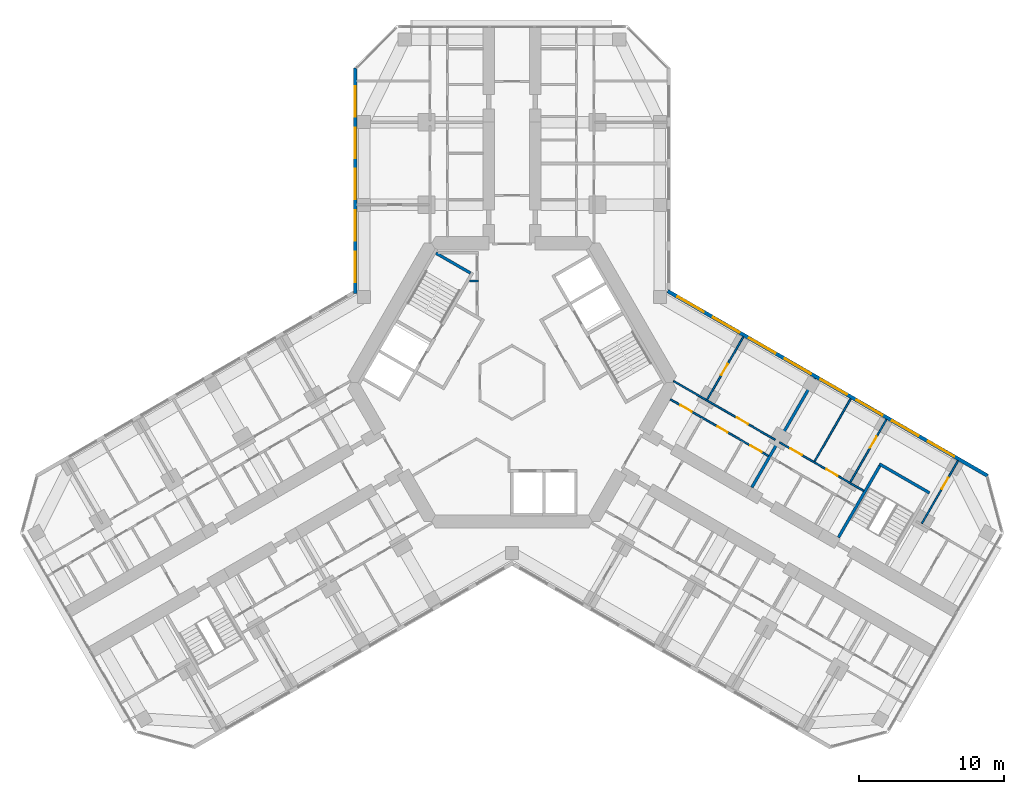
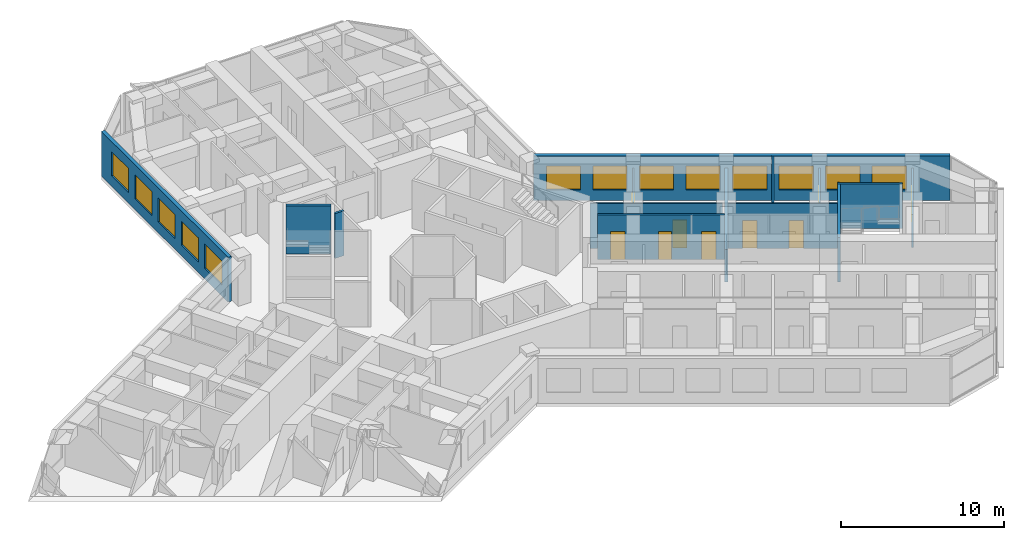
# One storey, part 16 of 20: 14 walls, 13 windows, 9 doors, 22 openings.
"""IFC4 building model written with IfcOpenShell, lengths in metres."""

from ifc_helpers import new_model, si_unit, direction, frame, frame_2d, origin, place, context, subcontext, project, spatial, rectangle, extrude, material, layer, layer_set, type_object, element, fill, save


model = new_model("IFC4")

# Units and contexts
model_context = context("Model", 3, precision=1e-05, world=origin(), true_north=direction((0.0, 1.0)))
body_context = subcontext(model_context, "Body", "Model", "MODEL_VIEW")
ifc_project = project(units=[si_unit("LENGTHUNIT", "METRE"), si_unit("AREAUNIT", "SQUARE_METRE"), si_unit("VOLUMEUNIT", "CUBIC_METRE"), si_unit("PLANEANGLEUNIT", "RADIAN"), si_unit("MASSUNIT", "GRAM", prefix="KILO")], contexts=[model_context])

# Site, building, storey
site_placement = place(None, origin())
site = spatial("IfcSite", under=ifc_project, at=site_placement, CompositionType="ELEMENT")
building_placement = place(site_placement, origin())
building = spatial("IfcBuilding", under=site, at=building_placement, Name="Kosmar Iwan School Tower", CompositionType="ELEMENT")
storey_placement = place(building_placement, frame((0.0, 0.0, 131.0)))
storey = spatial("IfcBuildingStorey", under=building, at=storey_placement, Name="L32", CompositionType="ELEMENT", Elevation=131.0)

# Wall
ifc_material_1 = material(Name="Gypsum board on steel studs, fire-rated", Category="steel")
ifc_layer_1 = layer(ifc_material_1, 0.14990234375)
ifc_layer_set_1 = layer_set([ifc_layer_1], Name="Core room partition 150")
wall_type_1 = type_object("IfcWallType", Name="Core room partition 150", PredefinedType="PARTITIONING", material=ifc_layer_set_1)
wall_1_placement = place(storey_placement, frame((-2.324951171875, 6.985107421875, 0.0), z_axis=(0.0, 0.0, 1.0), x_axis=(-1.0, 0.0, 0.0)))
element("IfcWall", 1, at=wall_1_placement, inside=storey, type_object=wall_type_1, Name="Core room partition L32-CW2", PredefinedType="PARTITIONING", context=body_context, shape_type="SweptSolid", body=[
    extrude(rectangle(XDim=0.623779296875, YDim=0.14990234375, at=frame_2d((0.31201171875, 0.0))), origin(), (0.0, 0.0, 1.0), 3.35009765625),
])

# Wall, openings, doors
ifc_material_2 = material(Name="Gypsum board on steel studs", Category="steel")
ifc_layer_2 = layer(ifc_material_2, 0.1201171875)
ifc_layer_set_2 = layer_set([ifc_layer_2], Name="Dwelling partition 120")
wall_type_2 = type_object("IfcWallType", Name="Dwelling partition 120", PredefinedType="PARTITIONING", material=ifc_layer_set_2)
wall_2_placement = place(storey_placement, frame((10.928466796875, -1.171142578125, 0.0), z_axis=(0.0, 0.0, 1.0), x_axis=(0.866021400173, -0.500006934395, 0.0)))
wall_2 = element("IfcWall", 2, at=wall_2_placement, inside=storey, type_object=wall_type_2, Name="Partition L32-CL1-W1", PredefinedType="PARTITIONING", context=body_context, shape_type="SweptSolid", body=[
    extrude(rectangle(XDim=7.80029296875, YDim=0.1201171875, at=frame_2d((3.900146484375, 0.0))), origin(), (0.0, 0.0, 1.0), 3.35009765625),
])
opening_1_placement = place(wall_2_placement, frame((0.800048828125, 0.0, 0.0)))
opening_1 = element("IfcOpeningElement", 3, at=opening_1_placement, cuts=wall_2, Name="Opening D2", PredefinedType="OPENING", context=body_context, shape_type="SweptSolid", body=[
    extrude(rectangle(XDim=0.89990234375, YDim=2.10009765625, at=frame_2d((0.449951171875, 1.050048828125))), frame((0.0, 0.072021484375, 0.0), z_axis=(0.0, -1.0, 0.0), x_axis=(1.0, 0.0, 0.0)), (0.0, 0.0, 1.0), 0.14404296875),
])
opening_2_placement = place(wall_2_placement, frame((3.755126953125, 0.0, 0.0)))
opening_2 = element("IfcOpeningElement", 4, at=opening_2_placement, cuts=wall_2, Name="Opening D3", PredefinedType="OPENING", context=body_context, shape_type="SweptSolid", body=[
    extrude(rectangle(XDim=0.800048828125, YDim=2.10009765625, at=frame_2d((0.39990234375, 1.050048828125))), frame((0.0, 0.072021484375, 0.0), z_axis=(0.0, -1.0, 0.0), x_axis=(1.0, 0.0, 0.0)), (0.0, 0.0, 1.0), 0.14404296875),
])
opening_3_placement = place(wall_2_placement, frame((6.380126953125, 0.0, 0.0)))
opening_3 = element("IfcOpeningElement", 5, at=opening_3_placement, cuts=wall_2, Name="Opening D2", PredefinedType="OPENING", context=body_context, shape_type="SweptSolid", body=[
    extrude(rectangle(XDim=0.89990234375, YDim=2.10009765625, at=frame_2d((0.449951171875, 1.050048828125))), frame((0.0, 0.072021484375, 0.0), z_axis=(0.0, -1.0, 0.0), x_axis=(1.0, 0.0, 0.0)), (0.0, 0.0, 1.0), 0.14404296875),
])
ifc_material_3 = material(Name="Timber door in timber frame", Category="wood")
door_type_1 = type_object("IfcDoorType", Name="Internal door 900x2100", OperationType="SINGLE_SWING_LEFT", PredefinedType="DOOR", material=ifc_material_3)
door_1_placement = place(opening_1_placement, origin())
door_1 = element("IfcDoor", 6, at=door_1_placement, inside=storey, type_object=door_type_1, Name="Entrance hall door L32-CL1-S1", OperationType="SINGLE_SWING_LEFT", OverallHeight=2.10009765625, OverallWidth=0.89990234375, PredefinedType="DOOR", context=body_context, shape_type="SweptSolid", body=[
    extrude(rectangle(XDim=0.89990234375, YDim=2.10009765625, at=frame_2d((0.449951171875, 1.050048828125))), frame((0.0, 0.02490234375, 0.0), z_axis=(0.0, -1.0, 0.0), x_axis=(1.0, 0.0, 0.0)), (0.0, 0.0, 1.0), 0.050048828125),
])
fill(opening_1, door_1)
door_2_placement = place(opening_3_placement, origin())
door_2 = element("IfcDoor", 7, at=door_2_placement, inside=storey, type_object=door_type_1, Name="Pantry door L32-CL1-S3", OperationType="SINGLE_SWING_RIGHT", OverallHeight=2.10009765625, OverallWidth=0.89990234375, PredefinedType="DOOR", context=body_context, shape_type="SweptSolid", body=[
    extrude(rectangle(XDim=0.89990234375, YDim=2.10009765625, at=frame_2d((0.449951171875, 1.050048828125))), frame((0.0, 0.02490234375, 0.0), z_axis=(0.0, -1.0, 0.0), x_axis=(1.0, 0.0, 0.0)), (0.0, 0.0, 1.0), 0.050048828125),
])
fill(opening_3, door_2)
ifc_material_4 = material(Name="Timber door in timber frame", Category="wood")
door_type_2 = type_object("IfcDoorType", Name="Sanitary room door 800x2100", OperationType="SINGLE_SWING_LEFT", PredefinedType="DOOR", material=ifc_material_4)
door_3_placement = place(opening_2_placement, origin())
door_3 = element("IfcDoor", 8, at=door_3_placement, inside=storey, type_object=door_type_2, Name="Bathroom door L32-CL1-S2", OperationType="SINGLE_SWING_RIGHT", OverallHeight=2.10009765625, OverallWidth=0.800048828125, PredefinedType="DOOR", context=body_context, shape_type="SweptSolid", body=[
    extrude(rectangle(XDim=0.800048828125, YDim=2.10009765625, at=frame_2d((0.39990234375, 1.050048828125))), frame((0.0, 0.02490234375, 0.0), z_axis=(0.0, -1.0, 0.0), x_axis=(1.0, 0.0, 0.0)), (0.0, 0.0, 1.0), 0.050048828125),
])
fill(opening_2, door_3)

# Wall, opening, door
wall_3_placement = place(storey_placement, frame((11.138916015625, 0.093017578125, 0.0), z_axis=(0.0, 0.0, 1.0), x_axis=(0.866017937352, -0.500012932018, 0.0)))
wall_3 = element("IfcWall", 9, at=wall_3_placement, inside=storey, type_object=wall_type_2, Name="Partition L32-CL1-W2", PredefinedType="PARTITIONING", context=body_context, shape_type="SweptSolid", body=[
    extrude(rectangle(XDim=8.099853515625, YDim=0.1201171875, at=frame_2d((4.0498046875, 0.0))), origin(), (0.0, 0.0, 1.0), 3.35009765625),
])
opening_4_placement = place(wall_3_placement, frame((5.050048828125, 0.0, 0.0)))
opening_4 = element("IfcOpeningElement", 10, at=opening_4_placement, cuts=wall_3, Name="Opening D2", PredefinedType="OPENING", context=body_context, shape_type="SweptSolid", body=[
    extrude(rectangle(XDim=0.89990234375, YDim=2.10009765625, at=frame_2d((0.449951171875, 1.050048828125))), frame((0.0, 0.072021484375, 0.0), z_axis=(0.0, -1.0, 0.0), x_axis=(1.0, 0.0, 0.0)), (0.0, 0.0, 1.0), 0.14404296875),
])
door_4_placement = place(opening_4_placement, origin())
door_4 = element("IfcDoor", 11, at=door_4_placement, inside=storey, type_object=door_type_1, Name="Studio living room door L32-CL1-F2", OperationType="SINGLE_SWING_RIGHT", OverallHeight=2.10009765625, OverallWidth=0.89990234375, PredefinedType="DOOR", context=body_context, shape_type="SweptSolid", body=[
    extrude(rectangle(XDim=0.89990234375, YDim=2.10009765625, at=frame_2d((0.449951171875, 1.050048828125))), frame((0.0, 0.02490234375, 0.0), z_axis=(0.0, -1.0, 0.0), x_axis=(1.0, 0.0, 0.0)), (0.0, 0.0, 1.0), 0.050048828125),
])
fill(opening_4, door_4)

wall_4_placement = place(storey_placement, frame((13.4638671875, -1.179931640625, 0.0), z_axis=(0.0, 0.0, 1.0), x_axis=(0.499975153383, 0.86603974851, 0.0)))
wall_4 = element("IfcWall", 12, at=wall_4_placement, inside=storey, type_object=wall_type_2, Name="Partition L32-CL1-X1", PredefinedType="PARTITIONING", context=body_context, shape_type="SweptSolid", body=[
    extrude(rectangle(XDim=4.989990234375, YDim=0.1201171875, at=frame_2d((2.4951171875, 0.0))), origin(), (0.0, 0.0, 1.0), 2.449951171875),
])
opening_5_placement = place(wall_4_placement, frame((1.93994140625, 0.0, 0.0)))
opening_5 = element("IfcOpeningElement", 13, at=opening_5_placement, cuts=wall_4, Name="Opening D2", PredefinedType="OPENING", context=body_context, shape_type="SweptSolid", body=[
    extrude(rectangle(XDim=0.89990234375, YDim=2.10009765625, at=frame_2d((0.449951171875, 1.050048828125))), frame((0.0, 0.072021484375, 0.0), z_axis=(0.0, -1.0, 0.0), x_axis=(1.0, 0.0, 0.0)), (0.0, 0.0, 1.0), 0.14404296875),
])
door_5_placement = place(opening_5_placement, origin())
door_5 = element("IfcDoor", 14, at=door_5_placement, inside=storey, type_object=door_type_1, Name="Kitchen and dining room door L32-CL1-F1", OperationType="SINGLE_SWING_LEFT", OverallHeight=2.10009765625, OverallWidth=0.89990234375, PredefinedType="DOOR", context=body_context, shape_type="SweptSolid", body=[
    extrude(rectangle(XDim=0.89990234375, YDim=2.10009765625, at=frame_2d((0.449951171875, 1.050048828125))), frame((0.0, 0.02490234375, 0.0), z_axis=(0.0, -1.0, 0.0), x_axis=(1.0, 0.0, 0.0)), (0.0, 0.0, 1.0), 0.050048828125),
])
fill(opening_5, door_5)

# Wall, openings, doors
wall_5_placement = place(storey_placement, frame((18.456787109375, -4.1318359375, 0.0), z_axis=(0.0, 0.0, 1.0), x_axis=(0.866014461049, -0.500018952895, 0.0)))
wall_5 = element("IfcWall", 15, at=wall_5_placement, inside=storey, type_object=wall_type_2, Name="Partition L32-CL2-W2", PredefinedType="PARTITIONING", context=body_context, shape_type="SweptSolid", body=[
    extrude(rectangle(XDim=6.699951171875, YDim=0.1201171875, at=frame_2d((3.35009765625, 0.0))), origin(), (0.0, 0.0, 1.0), 3.35009765625),
])
opening_6_placement = place(wall_5_placement, frame((0.875, 0.0, 0.0)))
opening_6 = element("IfcOpeningElement", 16, at=opening_6_placement, cuts=wall_5, Name="Opening D2", PredefinedType="OPENING", context=body_context, shape_type="SweptSolid", body=[
    extrude(rectangle(XDim=0.89990234375, YDim=2.10009765625, at=frame_2d((0.449951171875, 1.050048828125))), frame((0.0, 0.072021484375, 0.0), z_axis=(0.0, -1.0, 0.0), x_axis=(1.0, 0.0, 0.0)), (0.0, 0.0, 1.0), 0.14404296875),
])
opening_7_placement = place(wall_5_placement, frame((3.72509765625, 0.0, 0.0)))
opening_7 = element("IfcOpeningElement", 17, at=opening_7_placement, cuts=wall_5, Name="Opening D2", PredefinedType="OPENING", context=body_context, shape_type="SweptSolid", body=[
    extrude(rectangle(XDim=0.89990234375, YDim=2.10009765625, at=frame_2d((0.449951171875, 1.050048828125))), frame((0.0, 0.072021484375, 0.0), z_axis=(0.0, -1.0, 0.0), x_axis=(1.0, 0.0, 0.0)), (0.0, 0.0, 1.0), 0.14404296875),
])
door_6_placement = place(opening_6_placement, origin())
door_6 = element("IfcDoor", 18, at=door_6_placement, inside=storey, type_object=door_type_1, Name="Family room and kitchen door L32-CL2-F1", OperationType="SINGLE_SWING_RIGHT", OverallHeight=2.10009765625, OverallWidth=0.89990234375, PredefinedType="DOOR", context=body_context, shape_type="SweptSolid", body=[
    extrude(rectangle(XDim=0.89990234375, YDim=2.10009765625, at=frame_2d((0.449951171875, 1.050048828125))), frame((0.0, 0.02490234375, 0.0), z_axis=(0.0, -1.0, 0.0), x_axis=(1.0, 0.0, 0.0)), (0.0, 0.0, 1.0), 0.050048828125),
])
fill(opening_6, door_6)
door_7_placement = place(opening_7_placement, origin())
door_7 = element("IfcDoor", 19, at=door_7_placement, inside=storey, type_object=door_type_1, Name="Bedroom 1 door L32-CL2-F2", OperationType="SINGLE_SWING_LEFT", OverallHeight=2.10009765625, OverallWidth=0.89990234375, PredefinedType="DOOR", context=body_context, shape_type="SweptSolid", body=[
    extrude(rectangle(XDim=0.89990234375, YDim=2.10009765625, at=frame_2d((0.449951171875, 1.050048828125))), frame((0.0, 0.02490234375, 0.0), z_axis=(0.0, -1.0, 0.0), x_axis=(1.0, 0.0, 0.0)), (0.0, 0.0, 1.0), 0.050048828125),
])
fill(opening_7, door_7)

# Wall
wall_6_placement = place(storey_placement, frame((20.868408203125, -5.455078125, 0.0), z_axis=(0.0, 0.0, 1.0), x_axis=(0.499975153383, 0.86603974851, 0.0)))
element("IfcWall", 20, at=wall_6_placement, inside=storey, type_object=wall_type_2, Name="Partition L32-CL2-X1", PredefinedType="PARTITIONING", context=body_context, shape_type="SweptSolid", body=[
    extrude(rectangle(XDim=4.989990234375, YDim=0.1201171875, at=frame_2d((2.4951171875, 0.0))), origin(), (0.0, 0.0, 1.0), 3.35009765625),
])

# Wall, opening, door
wall_7_placement = place(storey_placement, frame((23.33642578125, -6.8798828125, 0.0), z_axis=(0.0, 0.0, 1.0), x_axis=(0.500033033937, 0.866006330792, 0.0)))
wall_7 = element("IfcWall", 21, at=wall_7_placement, inside=storey, type_object=wall_type_2, Name="Partition L32-CL2-TB", PredefinedType="PARTITIONING", context=body_context, shape_type="SweptSolid", body=[
    extrude(rectangle(XDim=4.989990234375, YDim=0.1201171875, at=frame_2d((2.4951171875, 0.0))), origin(), (0.0, 0.0, 1.0), 2.449951171875),
])
opening_8_placement = place(wall_7_placement, frame((2.739990234375, 0.0, 0.0)))
opening_8 = element("IfcOpeningElement", 22, at=opening_8_placement, cuts=wall_7, Name="Opening D2", PredefinedType="OPENING", context=body_context, shape_type="SweptSolid", body=[
    extrude(rectangle(XDim=0.89990234375, YDim=2.10009765625, at=frame_2d((0.449951171875, 1.050048828125))), frame((0.0, 0.072021484375, 0.0), z_axis=(0.0, -1.0, 0.0), x_axis=(1.0, 0.0, 0.0)), (0.0, 0.0, 1.0), 0.14404296875),
])
door_8_placement = place(opening_8_placement, origin())
door_8 = element("IfcDoor", 23, at=door_8_placement, inside=storey, type_object=door_type_1, Name="Study door L32-CL2-F2", OperationType="SINGLE_SWING_RIGHT", OverallHeight=2.10009765625, OverallWidth=0.89990234375, PredefinedType="DOOR", context=body_context, shape_type="SweptSolid", body=[
    extrude(rectangle(XDim=0.89990234375, YDim=2.10009765625, at=frame_2d((0.449951171875, 1.050048828125))), frame((0.0, 0.02490234375, 0.0), z_axis=(0.0, -1.0, 0.0), x_axis=(1.0, 0.0, 0.0)), (0.0, 0.0, 1.0), 0.050048828125),
])
fill(opening_8, door_8)

wall_8_placement = place(storey_placement, frame((28.27294921875, -9.72998046875, 0.0), z_axis=(0.0, 0.0, 1.0), x_axis=(0.499975153383, 0.86603974851, 0.0)))
wall_8 = element("IfcWall", 24, at=wall_8_placement, inside=storey, type_object=wall_type_2, Name="Partition L32-CL2-TX", PredefinedType="PARTITIONING", context=body_context, shape_type="SweptSolid", body=[
    extrude(rectangle(XDim=4.989990234375, YDim=0.1201171875, at=frame_2d((2.4951171875, 0.0))), origin(), (0.0, 0.0, 1.0), 2.449951171875),
])
opening_9_placement = place(wall_8_placement, frame((2.739990234375, 0.0, 0.0)))
opening_9 = element("IfcOpeningElement", 25, at=opening_9_placement, cuts=wall_8, Name="Opening D2", PredefinedType="OPENING", context=body_context, shape_type="SweptSolid", body=[
    extrude(rectangle(XDim=0.89990234375, YDim=2.10009765625, at=frame_2d((0.449951171875, 1.050048828125))), frame((0.0, 0.072021484375, 0.0), z_axis=(0.0, -1.0, 0.0), x_axis=(1.0, 0.0, 0.0)), (0.0, 0.0, 1.0), 0.14404296875),
])
door_9_placement = place(opening_9_placement, origin())
door_9 = element("IfcDoor", 26, at=door_9_placement, inside=storey, type_object=door_type_1, Name="Study door L32-CL2-T1", OperationType="SINGLE_SWING_RIGHT", OverallHeight=2.10009765625, OverallWidth=0.89990234375, PredefinedType="DOOR", context=body_context, shape_type="SweptSolid", body=[
    extrude(rectangle(XDim=0.89990234375, YDim=2.10009765625, at=frame_2d((0.449951171875, 1.050048828125))), frame((0.0, 0.02490234375, 0.0), z_axis=(0.0, -1.0, 0.0), x_axis=(1.0, 0.0, 0.0)), (0.0, 0.0, 1.0), 0.050048828125),
])
fill(opening_9, door_9)

# Walls
ifc_material_5 = material(Name="Concrete C35/45", Category="concrete")
ifc_layer_3 = layer(ifc_material_5, 0.199951171875)
ifc_layer_set_3 = layer_set([ifc_layer_3], Name="Escape stair wall 200")
wall_type_3 = type_object("IfcWallType", Name="Escape stair wall 200", PredefinedType="SHEAR", material=ifc_layer_set_3)
wall_9_placement = place(storey_placement, frame((22.520751953125, -10.69287109375, 0.0), z_axis=(0.0, 0.0, 1.0), x_axis=(0.500006628179, 0.86602157697, 0.0)))
element("IfcWall", 27, at=wall_9_placement, inside=storey, type_object=wall_type_3, Name="Stair WS3 wall", PredefinedType="SHEAR", context=body_context, shape_type="SweptSolid", body=[
    extrude(rectangle(XDim=5.89990234375, YDim=0.199951171875, at=frame_2d((2.949951171875, 0.0))), origin(), (0.0, 0.0, 1.0), 3.330078125),
])
wall_10_placement = place(storey_placement, frame((25.334228515625, -5.6201171875, 0.0), z_axis=(0.0, 0.0, 1.0), x_axis=(0.866026010844, -0.49999894854, 0.0)))
element("IfcWall", 28, at=wall_10_placement, inside=storey, type_object=wall_type_3, Name="Stair WS3 wall", PredefinedType="SHEAR", context=body_context, shape_type="SweptSolid", body=[
    extrude(rectangle(XDim=4.0, YDim=0.199951171875, at=frame_2d((2.0, 0.0))), origin(), (0.0, 0.0, 1.0), 3.330078125),
])

# Wall, openings, windows
ifc_material_6 = material(Name="Black aluminium rainscreen on insulated framing", Category="aluminium")
ifc_layer_4 = layer(ifc_material_6, 0.25)
ifc_layer_set_4 = layer_set([ifc_layer_4], Name="External wall rainscreen 250")
wall_type_4 = type_object("IfcWallType", Name="External wall rainscreen 250", PredefinedType="SOLIDWALL", material=ifc_layer_set_4)
wall_11_placement = place(storey_placement, frame((10.73681640625, 6.30078125, 0.0), z_axis=(0.0, 0.0, 1.0), x_axis=(0.866026390279, -0.499998291337, 0.0)))
wall_11 = element("IfcWall", 29, at=wall_11_placement, inside=storey, type_object=wall_type_4, Name="External wall CL L32", PredefinedType="SOLIDWALL", context=body_context, shape_type="SweptSolid", body=[
    extrude(rectangle(XDim=25.4873046875, YDim=0.25, at=frame_2d((12.74365234375, 0.0))), origin(), (0.0, 0.0, 1.0), 3.35009765625),
])
opening_10_placement = place(wall_11_placement, frame((0.777099609375, 0.0, 0.800048828125)))
opening_10 = element("IfcOpeningElement", 30, at=opening_10_placement, cuts=wall_11, Name="Opening W4", PredefinedType="OPENING", context=body_context, shape_type="SweptSolid", body=[
    extrude(rectangle(XDim=2.10009765625, YDim=1.800048828125, at=frame_2d((1.050048828125, 0.89990234375))), frame((0.0, 0.136962890625, 0.0), z_axis=(0.0, -1.0, 0.0), x_axis=(1.0, 0.0, 0.0)), (0.0, 0.0, 1.0), 0.27392578125),
])
opening_11_placement = place(wall_11_placement, frame((3.626953125, 0.0, 0.800048828125)))
opening_11 = element("IfcOpeningElement", 31, at=opening_11_placement, cuts=wall_11, Name="Opening W4", PredefinedType="OPENING", context=body_context, shape_type="SweptSolid", body=[
    extrude(rectangle(XDim=2.10009765625, YDim=1.800048828125, at=frame_2d((1.050048828125, 0.89990234375))), frame((0.0, 0.136962890625, 0.0), z_axis=(0.0, -1.0, 0.0), x_axis=(1.0, 0.0, 0.0)), (0.0, 0.0, 1.0), 0.27392578125),
])
opening_12_placement = place(wall_11_placement, frame((6.47705078125, 0.0, 0.800048828125)))
opening_12 = element("IfcOpeningElement", 32, at=opening_12_placement, cuts=wall_11, Name="Opening W4", PredefinedType="OPENING", context=body_context, shape_type="SweptSolid", body=[
    extrude(rectangle(XDim=2.10009765625, YDim=1.800048828125, at=frame_2d((1.050048828125, 0.89990234375))), frame((0.0, 0.136962890625, 0.0), z_axis=(0.0, -1.0, 0.0), x_axis=(1.0, 0.0, 0.0)), (0.0, 0.0, 1.0), 0.27392578125),
])
opening_13_placement = place(wall_11_placement, frame((9.326904296875, 0.0, 0.800048828125)))
opening_13 = element("IfcOpeningElement", 33, at=opening_13_placement, cuts=wall_11, Name="Opening W4", PredefinedType="OPENING", context=body_context, shape_type="SweptSolid", body=[
    extrude(rectangle(XDim=2.10009765625, YDim=1.800048828125, at=frame_2d((1.050048828125, 0.89990234375))), frame((0.0, 0.136962890625, 0.0), z_axis=(0.0, -1.0, 0.0), x_axis=(1.0, 0.0, 0.0)), (0.0, 0.0, 1.0), 0.27392578125),
])
opening_14_placement = place(wall_11_placement, frame((12.177001953125, 0.0, 0.800048828125)))
opening_14 = element("IfcOpeningElement", 34, at=opening_14_placement, cuts=wall_11, Name="Opening W4", PredefinedType="OPENING", context=body_context, shape_type="SweptSolid", body=[
    extrude(rectangle(XDim=2.10009765625, YDim=1.800048828125, at=frame_2d((1.050048828125, 0.89990234375))), frame((0.0, 0.136962890625, 0.0), z_axis=(0.0, -1.0, 0.0), x_axis=(1.0, 0.0, 0.0)), (0.0, 0.0, 1.0), 0.27392578125),
])
opening_15_placement = place(wall_11_placement, frame((15.027099609375, 0.0, 0.800048828125)))
opening_15 = element("IfcOpeningElement", 35, at=opening_15_placement, cuts=wall_11, Name="Opening W4", PredefinedType="OPENING", context=body_context, shape_type="SweptSolid", body=[
    extrude(rectangle(XDim=2.10009765625, YDim=1.800048828125, at=frame_2d((1.050048828125, 0.89990234375))), frame((0.0, 0.136962890625, 0.0), z_axis=(0.0, -1.0, 0.0), x_axis=(1.0, 0.0, 0.0)), (0.0, 0.0, 1.0), 0.27392578125),
])
opening_16_placement = place(wall_11_placement, frame((17.876953125, 0.0, 0.800048828125)))
opening_16 = element("IfcOpeningElement", 36, at=opening_16_placement, cuts=wall_11, Name="Opening W4", PredefinedType="OPENING", context=body_context, shape_type="SweptSolid", body=[
    extrude(rectangle(XDim=2.10009765625, YDim=1.800048828125, at=frame_2d((1.050048828125, 0.89990234375))), frame((0.0, 0.136962890625, 0.0), z_axis=(0.0, -1.0, 0.0), x_axis=(1.0, 0.0, 0.0)), (0.0, 0.0, 1.0), 0.27392578125),
])
opening_17_placement = place(wall_11_placement, frame((20.72705078125, 0.0, 0.800048828125)))
opening_17 = element("IfcOpeningElement", 37, at=opening_17_placement, cuts=wall_11, Name="Opening W4", PredefinedType="OPENING", context=body_context, shape_type="SweptSolid", body=[
    extrude(rectangle(XDim=2.10009765625, YDim=1.800048828125, at=frame_2d((1.050048828125, 0.89990234375))), frame((0.0, 0.136962890625, 0.0), z_axis=(0.0, -1.0, 0.0), x_axis=(1.0, 0.0, 0.0)), (0.0, 0.0, 1.0), 0.27392578125),
])
ifc_material_7 = material(Name="Black aluminium frame with dark triple glazing", Category="aluminium")
window_type = type_object("IfcWindowType", Name="Window 2100x1800", PartitioningType="SINGLE_PANEL", PredefinedType="WINDOW", material=ifc_material_7)
window_1_placement = place(opening_10_placement, origin())
window_1 = element("IfcWindow", 38, at=window_1_placement, inside=storey, type_object=window_type, Name="Window CL L32 -1", OverallHeight=1.800048828125, OverallWidth=2.10009765625, PartitioningType="SINGLE_PANEL", PredefinedType="WINDOW", context=body_context, shape_type="SweptSolid", body=[
    extrude(rectangle(XDim=2.10009765625, YDim=1.800048828125, at=frame_2d((1.050048828125, 0.89990234375))), frame((0.0, 0.030029296875, 0.0), z_axis=(0.0, -1.0, 0.0), x_axis=(1.0, 0.0, 0.0)), (0.0, 0.0, 1.0), 0.06005859375),
])
fill(opening_10, window_1)
window_2_placement = place(opening_11_placement, origin())
window_2 = element("IfcWindow", 39, at=window_2_placement, inside=storey, type_object=window_type, Name="Window CL L32 0", OverallHeight=1.800048828125, OverallWidth=2.10009765625, PartitioningType="SINGLE_PANEL", PredefinedType="WINDOW", context=body_context, shape_type="SweptSolid", body=[
    extrude(rectangle(XDim=2.10009765625, YDim=1.800048828125, at=frame_2d((1.050048828125, 0.89990234375))), frame((0.0, 0.030029296875, 0.0), z_axis=(0.0, -1.0, 0.0), x_axis=(1.0, 0.0, 0.0)), (0.0, 0.0, 1.0), 0.06005859375),
])
fill(opening_11, window_2)
window_3_placement = place(opening_12_placement, origin())
window_3 = element("IfcWindow", 40, at=window_3_placement, inside=storey, type_object=window_type, Name="Window CL L32 1", OverallHeight=1.800048828125, OverallWidth=2.10009765625, PartitioningType="SINGLE_PANEL", PredefinedType="WINDOW", context=body_context, shape_type="SweptSolid", body=[
    extrude(rectangle(XDim=2.10009765625, YDim=1.800048828125, at=frame_2d((1.050048828125, 0.89990234375))), frame((0.0, 0.030029296875, 0.0), z_axis=(0.0, -1.0, 0.0), x_axis=(1.0, 0.0, 0.0)), (0.0, 0.0, 1.0), 0.06005859375),
])
fill(opening_12, window_3)
window_4_placement = place(opening_13_placement, origin())
window_4 = element("IfcWindow", 41, at=window_4_placement, inside=storey, type_object=window_type, Name="Window CL L32 2", OverallHeight=1.800048828125, OverallWidth=2.10009765625, PartitioningType="SINGLE_PANEL", PredefinedType="WINDOW", context=body_context, shape_type="SweptSolid", body=[
    extrude(rectangle(XDim=2.10009765625, YDim=1.800048828125, at=frame_2d((1.050048828125, 0.89990234375))), frame((0.0, 0.030029296875, 0.0), z_axis=(0.0, -1.0, 0.0), x_axis=(1.0, 0.0, 0.0)), (0.0, 0.0, 1.0), 0.06005859375),
])
fill(opening_13, window_4)
window_5_placement = place(opening_14_placement, origin())
window_5 = element("IfcWindow", 42, at=window_5_placement, inside=storey, type_object=window_type, Name="Window CL L32 3", OverallHeight=1.800048828125, OverallWidth=2.10009765625, PartitioningType="SINGLE_PANEL", PredefinedType="WINDOW", context=body_context, shape_type="SweptSolid", body=[
    extrude(rectangle(XDim=2.10009765625, YDim=1.800048828125, at=frame_2d((1.050048828125, 0.89990234375))), frame((0.0, 0.030029296875, 0.0), z_axis=(0.0, -1.0, 0.0), x_axis=(1.0, 0.0, 0.0)), (0.0, 0.0, 1.0), 0.06005859375),
])
fill(opening_14, window_5)
window_6_placement = place(opening_15_placement, origin())
window_6 = element("IfcWindow", 43, at=window_6_placement, inside=storey, type_object=window_type, Name="Window CL L32 4", OverallHeight=1.800048828125, OverallWidth=2.10009765625, PartitioningType="SINGLE_PANEL", PredefinedType="WINDOW", context=body_context, shape_type="SweptSolid", body=[
    extrude(rectangle(XDim=2.10009765625, YDim=1.800048828125, at=frame_2d((1.050048828125, 0.89990234375))), frame((0.0, 0.030029296875, 0.0), z_axis=(0.0, -1.0, 0.0), x_axis=(1.0, 0.0, 0.0)), (0.0, 0.0, 1.0), 0.06005859375),
])
fill(opening_15, window_6)
window_7_placement = place(opening_16_placement, origin())
window_7 = element("IfcWindow", 44, at=window_7_placement, inside=storey, type_object=window_type, Name="Window CL L32 5", OverallHeight=1.800048828125, OverallWidth=2.10009765625, PartitioningType="SINGLE_PANEL", PredefinedType="WINDOW", context=body_context, shape_type="SweptSolid", body=[
    extrude(rectangle(XDim=2.10009765625, YDim=1.800048828125, at=frame_2d((1.050048828125, 0.89990234375))), frame((0.0, 0.030029296875, 0.0), z_axis=(0.0, -1.0, 0.0), x_axis=(1.0, 0.0, 0.0)), (0.0, 0.0, 1.0), 0.06005859375),
])
fill(opening_16, window_7)
window_8_placement = place(opening_17_placement, origin())
window_8 = element("IfcWindow", 45, at=window_8_placement, inside=storey, type_object=window_type, Name="Window CL L32 6", OverallHeight=1.800048828125, OverallWidth=2.10009765625, PartitioningType="SINGLE_PANEL", PredefinedType="WINDOW", context=body_context, shape_type="SweptSolid", body=[
    extrude(rectangle(XDim=2.10009765625, YDim=1.800048828125, at=frame_2d((1.050048828125, 0.89990234375))), frame((0.0, 0.030029296875, 0.0), z_axis=(0.0, -1.0, 0.0), x_axis=(1.0, 0.0, 0.0)), (0.0, 0.0, 1.0), 0.06005859375),
])
fill(opening_17, window_8)

wall_12_placement = place(storey_placement, frame((-10.824951171875, 6.14794921875, 0.0), z_axis=(0.0, 0.0, 1.0), x_axis=(0.0, 1.0, 0.0)))
wall_12 = element("IfcWall", 46, at=wall_12_placement, inside=storey, type_object=wall_type_4, Name="External wall AL L32", PredefinedType="SOLIDWALL", context=body_context, shape_type="SweptSolid", body=[
    extrude(rectangle(XDim=15.537353515625, YDim=0.25, at=frame_2d((7.7685546875, 0.0))), origin(), (0.0, 0.0, 1.0), 3.35009765625),
])
opening_18_placement = place(wall_12_placement, frame((0.777099609375, 0.0, 0.800048828125)))
opening_18 = element("IfcOpeningElement", 47, at=opening_18_placement, cuts=wall_12, Name="Opening W4", PredefinedType="OPENING", context=body_context, shape_type="SweptSolid", body=[
    extrude(rectangle(XDim=2.10009765625, YDim=1.800048828125, at=frame_2d((1.050048828125, 0.89990234375))), frame((0.0, 0.136962890625, 0.0), z_axis=(0.0, -1.0, 0.0), x_axis=(1.0, 0.0, 0.0)), (0.0, 0.0, 1.0), 0.27392578125),
])
opening_19_placement = place(wall_12_placement, frame((3.626953125, 0.0, 0.800048828125)))
opening_19 = element("IfcOpeningElement", 48, at=opening_19_placement, cuts=wall_12, Name="Opening W4", PredefinedType="OPENING", context=body_context, shape_type="SweptSolid", body=[
    extrude(rectangle(XDim=2.10009765625, YDim=1.800048828125, at=frame_2d((1.050048828125, 0.89990234375))), frame((0.0, 0.136962890625, 0.0), z_axis=(0.0, -1.0, 0.0), x_axis=(1.0, 0.0, 0.0)), (0.0, 0.0, 1.0), 0.27392578125),
])
opening_20_placement = place(wall_12_placement, frame((6.47705078125, 0.0, 0.800048828125)))
opening_20 = element("IfcOpeningElement", 49, at=opening_20_placement, cuts=wall_12, Name="Opening W4", PredefinedType="OPENING", context=body_context, shape_type="SweptSolid", body=[
    extrude(rectangle(XDim=2.10009765625, YDim=1.800048828125, at=frame_2d((1.050048828125, 0.89990234375))), frame((0.0, 0.136962890625, 0.0), z_axis=(0.0, -1.0, 0.0), x_axis=(1.0, 0.0, 0.0)), (0.0, 0.0, 1.0), 0.27392578125),
])
opening_21_placement = place(wall_12_placement, frame((9.326904296875, 0.0, 0.800048828125)))
opening_21 = element("IfcOpeningElement", 50, at=opening_21_placement, cuts=wall_12, Name="Opening W4", PredefinedType="OPENING", context=body_context, shape_type="SweptSolid", body=[
    extrude(rectangle(XDim=2.10009765625, YDim=1.800048828125, at=frame_2d((1.050048828125, 0.89990234375))), frame((0.0, 0.136962890625, 0.0), z_axis=(0.0, -1.0, 0.0), x_axis=(1.0, 0.0, 0.0)), (0.0, 0.0, 1.0), 0.27392578125),
])
opening_22_placement = place(wall_12_placement, frame((12.177001953125, 0.0, 0.800048828125)))
opening_22 = element("IfcOpeningElement", 51, at=opening_22_placement, cuts=wall_12, Name="Opening W4", PredefinedType="OPENING", context=body_context, shape_type="SweptSolid", body=[
    extrude(rectangle(XDim=2.10009765625, YDim=1.800048828125, at=frame_2d((1.050048828125, 0.89990234375))), frame((0.0, 0.136962890625, 0.0), z_axis=(0.0, -1.0, 0.0), x_axis=(1.0, 0.0, 0.0)), (0.0, 0.0, 1.0), 0.27392578125),
])
window_9_placement = place(opening_18_placement, origin())
window_9 = element("IfcWindow", 52, at=window_9_placement, inside=storey, type_object=window_type, Name="Window AL L32 -1", OverallHeight=1.800048828125, OverallWidth=2.10009765625, PartitioningType="SINGLE_PANEL", PredefinedType="WINDOW", context=body_context, shape_type="SweptSolid", body=[
    extrude(rectangle(XDim=2.10009765625, YDim=1.800048828125, at=frame_2d((1.050048828125, 0.89990234375))), frame((0.0, 0.030029296875, 0.0), z_axis=(0.0, -1.0, 0.0), x_axis=(1.0, 0.0, 0.0)), (0.0, 0.0, 1.0), 0.06005859375),
])
fill(opening_18, window_9)
window_10_placement = place(opening_19_placement, origin())
window_10 = element("IfcWindow", 53, at=window_10_placement, inside=storey, type_object=window_type, Name="Window AL L32 0", OverallHeight=1.800048828125, OverallWidth=2.10009765625, PartitioningType="SINGLE_PANEL", PredefinedType="WINDOW", context=body_context, shape_type="SweptSolid", body=[
    extrude(rectangle(XDim=2.10009765625, YDim=1.800048828125, at=frame_2d((1.050048828125, 0.89990234375))), frame((0.0, 0.030029296875, 0.0), z_axis=(0.0, -1.0, 0.0), x_axis=(1.0, 0.0, 0.0)), (0.0, 0.0, 1.0), 0.06005859375),
])
fill(opening_19, window_10)
window_11_placement = place(opening_20_placement, origin())
window_11 = element("IfcWindow", 54, at=window_11_placement, inside=storey, type_object=window_type, Name="Window AL L32 1", OverallHeight=1.800048828125, OverallWidth=2.10009765625, PartitioningType="SINGLE_PANEL", PredefinedType="WINDOW", context=body_context, shape_type="SweptSolid", body=[
    extrude(rectangle(XDim=2.10009765625, YDim=1.800048828125, at=frame_2d((1.050048828125, 0.89990234375))), frame((0.0, 0.030029296875, 0.0), z_axis=(0.0, -1.0, 0.0), x_axis=(1.0, 0.0, 0.0)), (0.0, 0.0, 1.0), 0.06005859375),
])
fill(opening_20, window_11)
window_12_placement = place(opening_21_placement, origin())
window_12 = element("IfcWindow", 55, at=window_12_placement, inside=storey, type_object=window_type, Name="Window AL L32 2", OverallHeight=1.800048828125, OverallWidth=2.10009765625, PartitioningType="SINGLE_PANEL", PredefinedType="WINDOW", context=body_context, shape_type="SweptSolid", body=[
    extrude(rectangle(XDim=2.10009765625, YDim=1.800048828125, at=frame_2d((1.050048828125, 0.89990234375))), frame((0.0, 0.030029296875, 0.0), z_axis=(0.0, -1.0, 0.0), x_axis=(1.0, 0.0, 0.0)), (0.0, 0.0, 1.0), 0.06005859375),
])
fill(opening_21, window_12)
window_13_placement = place(opening_22_placement, origin())
window_13 = element("IfcWindow", 56, at=window_13_placement, inside=storey, type_object=window_type, Name="Window AL L32 3", OverallHeight=1.800048828125, OverallWidth=2.10009765625, PartitioningType="SINGLE_PANEL", PredefinedType="WINDOW", context=body_context, shape_type="SweptSolid", body=[
    extrude(rectangle(XDim=2.10009765625, YDim=1.800048828125, at=frame_2d((1.050048828125, 0.89990234375))), frame((0.0, 0.030029296875, 0.0), z_axis=(0.0, -1.0, 0.0), x_axis=(1.0, 0.0, 0.0)), (0.0, 0.0, 1.0), 0.06005859375),
])
fill(opening_22, window_13)

# Walls
ifc_material_8 = material(Name="Concrete block masonry", Category="masonry")
ifc_layer_5 = layer(ifc_material_8, 0.199951171875)
ifc_layer_set_5 = layer_set([ifc_layer_5], Name="Party wall 200")
wall_type_5 = type_object("IfcWallType", Name="Party wall 200", PredefinedType="PARTITIONING", material=ifc_layer_set_5)
wall_13_placement = place(storey_placement, frame((16.545166015625, -7.242919921875, 0.0), z_axis=(0.0, 0.0, 1.0), x_axis=(0.500008278454, 0.866020624164, 0.0)))
element("IfcWall", 57, at=wall_13_placement, inside=storey, type_object=wall_type_5, Name="Partition L32-CL2-PW", PredefinedType="PARTITIONING", context=body_context, shape_type="SweptSolid", body=[
    extrude(rectangle(XDim=8.699951171875, YDim=0.199951171875, at=frame_2d((4.35009765625, 0.0))), origin(), (0.0, 0.0, 1.0), 2.449951171875),
])
ifc_material_9 = material(Name="Concrete C50/60", Category="concrete")
ifc_layer_6 = layer(ifc_material_9, 0.199951171875)
ifc_layer_set_6 = layer_set([ifc_layer_6], Name="Stair enclosure wall 200")
wall_type_6 = type_object("IfcWallType", Name="Stair enclosure wall 200", PredefinedType="SHEAR", material=ifc_layer_set_6)
wall_14_placement = place(storey_placement, frame((-2.862548828125, 7.541748046875, 0.0), z_axis=(0.0, 0.0, 1.0), x_axis=(-0.866027397988, 0.499996545922, 0.0)))
element("IfcWall", 58, at=wall_14_placement, inside=storey, type_object=wall_type_6, Name="Stair ST2 wall", PredefinedType="SHEAR", context=body_context, shape_type="SweptSolid", body=[
    extrude(rectangle(XDim=2.75, YDim=0.199951171875, at=frame_2d((1.375, 0.0))), origin(), (0.0, 0.0, 1.0), 3.60009765625),
])

save(model, "model.ifc")
